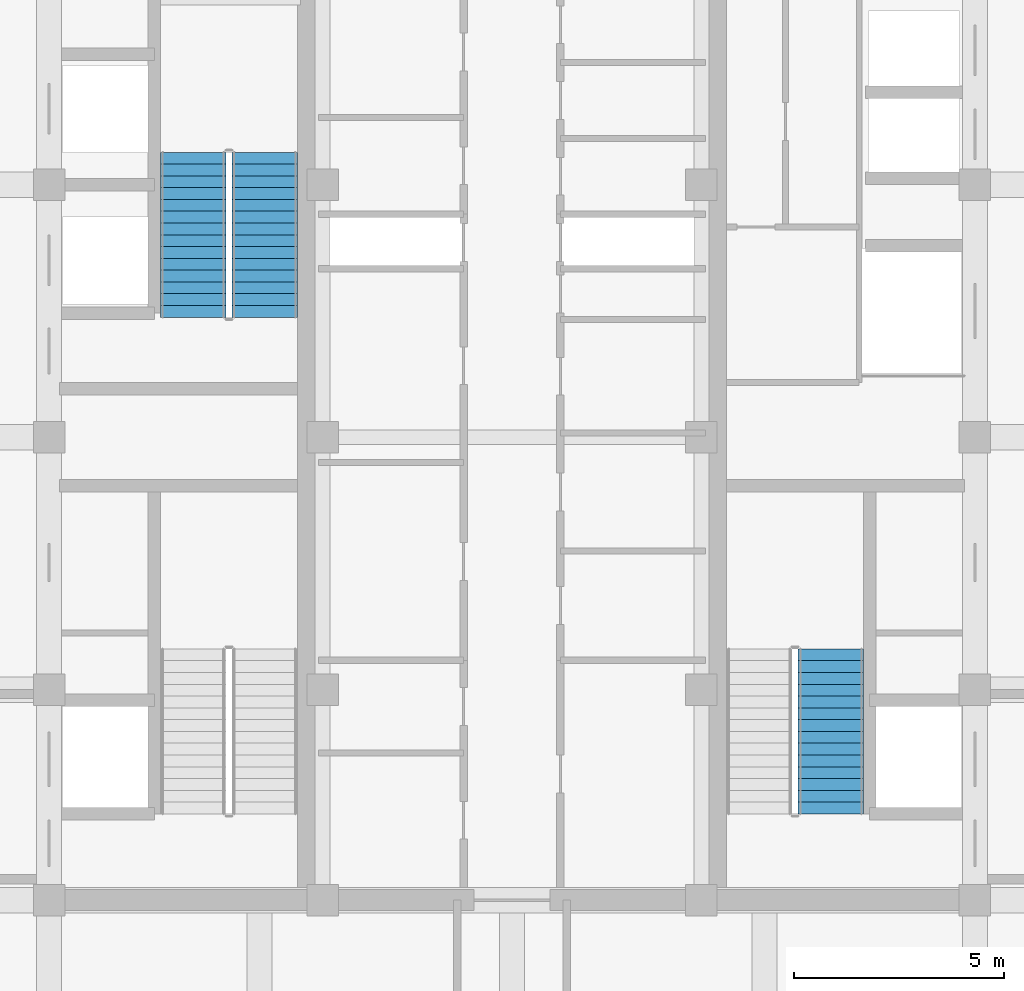
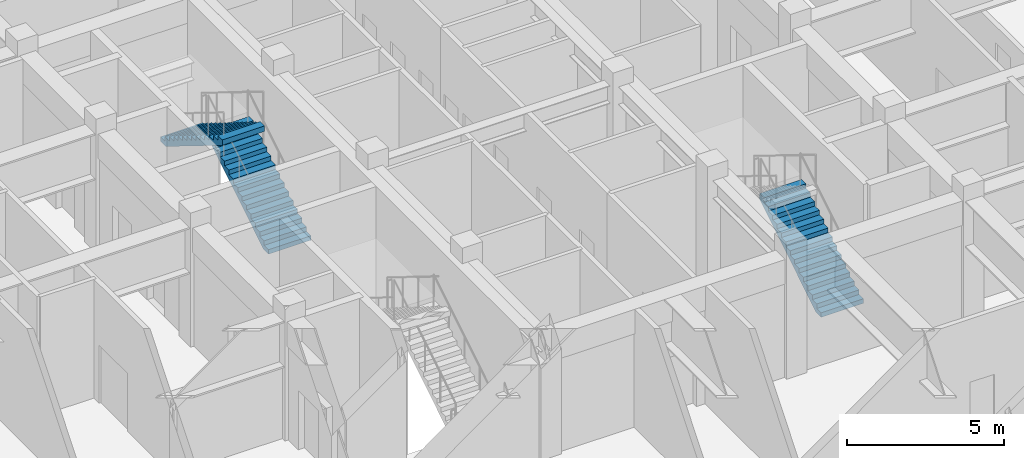
# One storey, part 28 of 29: 3 stair flights, 2 elements without a shape of their own.
"""IFC4 building model written with IfcOpenShell, lengths in metres."""

import ifcopenshell
import ifcopenshell.guid

model = None  # the IFC model being written
_history = None  # IfcOwnerHistory: only IFC2X3 demands one
_inside = {}  # id of a spatial element -> (the spatial element, [elements in it])
_under = {}  # id of a project, library or spatial element -> (it, [spatial elements below it])
_declared = {}  # id of a project -> (the project, [libraries it declares])
_typed = {}  # id of a type object -> (the type object, [elements of that type])
_made_of = {}  # id of a material, layer set ... -> (it, [elements and type objects made of it])


def new_model(schema):
    """Start an empty IFC model of exactly this schema.

    Asked for "IFC4X3", IfcOpenShell would pick the latest addendum, in which some entities
    have other attributes; the version numbers below select the first issue.
    IFC2X3 requires an IfcOwnerHistory on every rooted entity: one is made here for all.
    """
    global model, _history
    if schema == "IFC4X3":
        model = ifcopenshell.file(schema_version=(4, 3, 0, 0))
    else:
        model = ifcopenshell.file(schema=schema)
    _inside.clear()
    _under.clear()
    _declared.clear()
    _typed.clear()
    _made_of.clear()
    _history = None
    if model.schema == "IFC2X3":
        org = make("IfcOrganization", Name="unknown")
        user = make(
            "IfcPersonAndOrganization",
            ThePerson=make("IfcPerson", FamilyName="unknown"),
            TheOrganization=org,
        )
        app = make(
            "IfcApplication",
            ApplicationDeveloper=org,
            Version="unknown",
            ApplicationFullName="unknown",
            ApplicationIdentifier="unknown",
        )
        _history = make(
            "IfcOwnerHistory",
            OwningUser=user,
            OwningApplication=app,
            ChangeAction="ADDED",
            CreationDate=0,
        )
    return model


def make(cls, **values):
    """One entity of the class cls with the attributes given. An attribute that is None is left unset."""
    return model.create_entity(
        cls, **{name: value for name, value in values.items() if value is not None}
    )


def rooted(cls, **values):
    """An entity with a GlobalId (a new one), such as an element, a storey or a relation."""
    return make(cls, GlobalId=ifcopenshell.guid.new(), OwnerHistory=_history, **values)


def si_unit(unit_type, name, prefix=None):
    """IfcSIUnit, for example si_unit("LENGTHUNIT", "METRE", prefix="MILLI")."""
    return make("IfcSIUnit", UnitType=unit_type, Prefix=prefix, Name=name)


def assignment(units):
    """IfcUnitAssignment: the units of a project."""
    return None if units is None else make("IfcUnitAssignment", Units=units)


def point(xyz):
    """IfcCartesianPoint."""
    return None if xyz is None else make("IfcCartesianPoint", Coordinates=xyz)


def direction(xyz):
    """IfcDirection."""
    return None if xyz is None else make("IfcDirection", DirectionRatios=xyz)


def frame(location, z_axis=None, x_axis=None):
    """IfcAxis2Placement3D, a coordinate frame: its origin and axes. An axis left out is left unset."""
    return make(
        "IfcAxis2Placement3D",
        Location=point(location),
        Axis=direction(z_axis),
        RefDirection=direction(x_axis),
    )


def origin():
    """The frame at (0, 0, 0) with its axes left unset."""
    return frame((0.0, 0.0, 0.0))


def place(relative_to, where):
    """IfcLocalPlacement: puts the frame where relative to a parent placement (None: the world)."""
    return make(
        "IfcLocalPlacement", PlacementRelTo=relative_to, RelativePlacement=where
    )


def context(
    kind, dimensions, precision=None, world=None, true_north=None, identifier=None
):
    """IfcGeometricRepresentationContext, for example the 3D "Model" context."""
    return make(
        "IfcGeometricRepresentationContext",
        ContextIdentifier=identifier,
        ContextType=kind,
        CoordinateSpaceDimension=dimensions,
        Precision=precision,
        WorldCoordinateSystem=world,
        TrueNorth=true_north,
    )


def subcontext(parent, identifier, kind, view, scale=None):
    """IfcGeometricRepresentationSubContext, for example "Body" below "Model"."""
    return make(
        "IfcGeometricRepresentationSubContext",
        ContextIdentifier=identifier,
        ContextType=kind,
        ParentContext=parent,
        TargetScale=scale,
        TargetView=view,
    )


def project(units=None, contexts=None):
    """IfcProject with its units and contexts."""
    return rooted(
        "IfcProject",
        Name="project",
        RepresentationContexts=contexts,
        UnitsInContext=assignment(units),
    )


def spatial(cls, under=None, at=None, **own):
    """A site, building, storey or space (cls), placed at a placement, below another one or the project."""
    s = rooted(cls, ObjectPlacement=at, **own)
    if under is not None:
        _under.setdefault(under.id(), (under, []))[1].append(s)
    return s


def polyline(points):
    """IfcPolyline through the points."""
    return make("IfcPolyline", Points=[point(p) for p in points])


def outline(outer, holes=None, kind="AREA"):
    """IfcArbitraryClosedProfileDef: a profile drawn as a closed curve; with holes, ...WithVoids."""
    if holes is None:
        return make("IfcArbitraryClosedProfileDef", ProfileType=kind, OuterCurve=outer)
    return make(
        "IfcArbitraryProfileDefWithVoids",
        ProfileType=kind,
        OuterCurve=outer,
        InnerCurves=holes,
    )


def extrude(swept, where, along, depth):
    """IfcExtrudedAreaSolid: the profile swept, set in the frame where, extruded along a direction by depth."""
    return make(
        "IfcExtrudedAreaSolid",
        SweptArea=swept,
        Position=where,
        ExtrudedDirection=direction(along),
        Depth=depth,
    )


def shape(context_of_items, identifier, shape_type, items):
    """IfcShapeRepresentation: the items that make up one representation, for example the "Body"."""
    return make(
        "IfcShapeRepresentation",
        ContextOfItems=context_of_items,
        RepresentationIdentifier=identifier,
        RepresentationType=shape_type,
        Items=items,
    )


def source(mapping_origin, context_of_items, identifier, shape_type, items):
    """IfcRepresentationMap: a shape defined once, which mapped items show again and again."""
    return make(
        "IfcRepresentationMap",
        MappingOrigin=mapping_origin,
        MappedRepresentation=shape(context_of_items, identifier, shape_type, items),
    )


def transform(
    local_origin,
    x_axis=None,
    y_axis=None,
    z_axis=None,
    scale=None,
    scale2=None,
    scale3=None,
    uniform=True,
):
    """IfcCartesianTransformationOperator3D, or its non-uniform kind. x_axis, y_axis, z_axis: its Axis1, 2, 3."""
    if uniform:
        return make(
            "IfcCartesianTransformationOperator3D",
            Axis1=direction(x_axis),
            Axis2=direction(y_axis),
            LocalOrigin=point(local_origin),
            Scale=scale,
            Axis3=direction(z_axis),
        )
    return make(
        "IfcCartesianTransformationOperator3DnonUniform",
        Axis1=direction(x_axis),
        Axis2=direction(y_axis),
        LocalOrigin=point(local_origin),
        Scale=scale,
        Axis3=direction(z_axis),
        Scale2=scale2,
        Scale3=scale3,
    )


def mapped(mapping_source, mapping_target):
    """IfcMappedItem: shows the shape of a source again, moved by a transform."""
    return make(
        "IfcMappedItem", MappingSource=mapping_source, MappingTarget=mapping_target
    )


def material(Name=None, Category=None):
    """IfcMaterial."""
    return make("IfcMaterial", Name=Name, Category=Category)


def made_of(thing, what):
    """Note that an element or type object is made of a material, layer set ...; save() writes the relation."""
    if what is not None:
        _made_of.setdefault(what.id(), (what, []))[1].append(thing)
    return thing


def type_object(cls, material=None, **own):
    """A type object (cls), such as IfcWallType, which elements share."""
    return made_of(rooted(cls, **own), material)


def element(
    cls,
    number,
    at=None,
    inside=None,
    cuts=None,
    type_object=None,
    material=None,
    context=None,
    identifier="Body",
    shape_type=None,
    held_by="IfcProductDefinitionShape",
    body=None,
    shapes=None,
    **own,
):
    """One element of the class cls, such as IfcWall. Its Tag is "e" and its number.

    at: its placement. inside: the storey or other place that contains it. cuts: it is an
    opening in that element (IfcRelVoidsElement). A single representation is given by context,
    identifier, shape_type and body (its items); several are given by shapes. held_by: the class
    of the entity that holds the representations. save() writes the other relations.
    """
    e = rooted(cls, Tag="e%d" % number, ObjectPlacement=at, **own)
    if body is not None:
        shapes = [shape(context, identifier, shape_type, body)]
    if shapes is not None:
        e.Representation = make(held_by, Representations=shapes)
    if inside is not None:
        _inside.setdefault(inside.id(), (inside, []))[1].append(e)
    if cuts is not None:
        rooted(
            "IfcRelVoidsElement", RelatingBuildingElement=cuts, RelatedOpeningElement=e
        )
    if type_object is not None:
        _typed.setdefault(type_object.id(), (type_object, []))[1].append(e)
    return made_of(e, material)


def aggregate(whole, parts):
    """IfcRelAggregates: a whole, such as a stair, and the parts it consists of."""
    return rooted("IfcRelAggregates", RelatingObject=whole, RelatedObjects=parts)


def save(model, path):
    """Write the relations noted so far, then the file.

    IfcRelAggregates (storeys below a building ...), IfcRelContainedInSpatialStructure (elements
    in a storey), IfcRelDefinesByType, IfcRelAssociatesMaterial and IfcRelDeclares: one each for
    every whole, place, type object, material and project.
    """
    for whole, parts in _under.values():
        aggregate(whole, parts)
    for where, things in _inside.values():
        rooted(
            "IfcRelContainedInSpatialStructure",
            RelatedElements=things,
            RelatingStructure=where,
        )
    for kind, things in _typed.values():
        rooted("IfcRelDefinesByType", RelatedObjects=things, RelatingType=kind)
    for what, things in _made_of.values():
        rooted("IfcRelAssociatesMaterial", RelatedObjects=things, RelatingMaterial=what)
    for by, libraries in _declared.values():
        rooted("IfcRelDeclares", RelatingContext=by, RelatedDefinitions=libraries)
    model.write(path)


model = new_model("IFC4")

# Units and contexts
model_context = context("Model", 3, precision=1e-05, world=origin(), true_north=direction((0.0, 1.0)))
body_context = subcontext(model_context, "Body", "Model", "MODEL_VIEW")
ifc_project = project(units=[si_unit("LENGTHUNIT", "METRE"), si_unit("AREAUNIT", "SQUARE_METRE"), si_unit("VOLUMEUNIT", "CUBIC_METRE"), si_unit("PLANEANGLEUNIT", "RADIAN"), si_unit("MASSUNIT", "GRAM", prefix="KILO")], contexts=[model_context])

# Site, building, storey
site_placement = place(None, origin())
site = spatial("IfcSite", under=ifc_project, at=site_placement, CompositionType="ELEMENT")
building_placement = place(site_placement, origin())
building = spatial("IfcBuilding", under=site, at=building_placement, Name="Khorayat Bourse Tower", CompositionType="ELEMENT")
storey_placement = place(building_placement, frame((0.0, 0.0, 370.300048828125)))
storey = spatial("IfcBuildingStorey", under=building, at=storey_placement, Name="L88", CompositionType="ELEMENT", Elevation=370.300048828125)

# Stair, stair flights
ifc_material = material(Name="Concrete C40/50", Category="concrete")
stair_type = type_object("IfcStairType", Name="STR-CORE-1550", PredefinedType="HALF_TURN_STAIR", material=ifc_material)
stair_1_placement = place(storey_placement, origin())
stair_1 = element("IfcStair", 1, at=stair_1_placement, inside=storey, type_object=stair_type, Name="L88 Exit Stair ST-2", PredefinedType="HALF_TURN_STAIR")
stair_flight_type = type_object("IfcStairFlightType", Name="FLT-CORE-1550", PredefinedType="STRAIGHT", material=ifc_material)
shared_shape = source(origin(), body_context, "Body", "SweptSolid", [
    extrude(outline(polyline([(0.0, 0.0), (0.0, 0.17333984375), (0.280029296875, 0.17333984375), (0.280029296875, 0.3466796875), (0.56005859375, 0.3466796875), (0.56005859375, 0.52001953125), (0.840087890625, 0.52001953125), (0.840087890625, 0.693359375), (1.1201171875, 0.693359375), (1.1201171875, 0.86669921875), (1.39990234375, 0.86669921875), (1.39990234375, 1.0400390625), (1.679931640625, 1.0400390625), (1.679931640625, 1.21337890625), (1.9599609375, 1.21337890625), (1.9599609375, 1.38671875), (2.239990234375, 1.38671875), (2.239990234375, 1.56005859375), (2.52001953125, 1.56005859375), (2.52001953125, 1.7333984375), (2.800048828125, 1.7333984375), (2.800048828125, 1.90673828125), (3.080078125, 1.90673828125), (3.080078125, 2.080078125), (3.360107421875, 2.080078125), (3.360107421875, 2.25341796875), (3.639892578125, 2.25341796875), (3.639892578125, 2.4267578125), (3.919921875, 2.4267578125), (3.919921875, 2.60009765625), (3.919921875, 2.215087890625), (0.341796875, 0.0), (0.0, 0.0)])), frame((0.0, 0.77490234375, 0.0), z_axis=(0.0, -1.0, 0.0), x_axis=(1.0, 0.0, 0.0)), (0.0, 0.0, 1.0), 1.550048828125),
])
stair_flight_1_placement = place(storey_placement, frame((-5.875, 2.85009765625, 0.0), z_axis=(0.0, 0.0, 1.0), x_axis=(0.0, 1.0, 0.0)))
stair_flight_1 = element("IfcStairFlight", 2, at=stair_flight_1_placement, type_object=stair_flight_type, Name="ST-2 flight 1", NumberOfRisers=15, NumberOfTreads=14, PredefinedType="STRAIGHT", RiserHeight=0.173333333, TreadLength=0.28, context=body_context, shape_type="MappedRepresentation", body=[
    mapped(shared_shape, transform((0.0, 0.0, 0.0), scale=1.0)),
])
stair_flight_2_placement = place(storey_placement, frame((-7.574951171875, 6.77001953125, 2.599853515625), z_axis=(0.0, 0.0, 1.0), x_axis=(0.0, -1.0, 0.0)))
stair_flight_2 = element("IfcStairFlight", 3, at=stair_flight_2_placement, type_object=stair_flight_type, Name="ST-2 flight 2", NumberOfRisers=15, NumberOfTreads=14, PredefinedType="STRAIGHT", RiserHeight=0.173333333, TreadLength=0.28, context=body_context, shape_type="MappedRepresentation", body=[
    mapped(shared_shape, transform((0.0, 0.0, 0.0), scale=1.0)),
])
aggregate(stair_1, [stair_flight_1, stair_flight_2])

# Stair, stair flight
stair_2_placement = place(storey_placement, origin())
stair_2 = element("IfcStair", 4, at=stair_2_placement, inside=storey, type_object=stair_type, Name="L88 Exit Stair ST-3", PredefinedType="HALF_TURN_STAIR")
stair_flight_3_placement = place(storey_placement, frame((7.574951171875, -8.949951171875, 0.0), z_axis=(0.0, 0.0, 1.0), x_axis=(0.0, 1.0, 0.0)))
stair_flight_3 = element("IfcStairFlight", 5, at=stair_flight_3_placement, type_object=stair_flight_type, Name="ST-3 flight 1", NumberOfRisers=15, NumberOfTreads=14, PredefinedType="STRAIGHT", RiserHeight=0.173333333, TreadLength=0.28, context=body_context, shape_type="MappedRepresentation", body=[
    mapped(shared_shape, transform((0.0, 0.0, 0.0), scale=1.0)),
])
aggregate(stair_2, [stair_flight_3])

save(model, "model.ifc")
